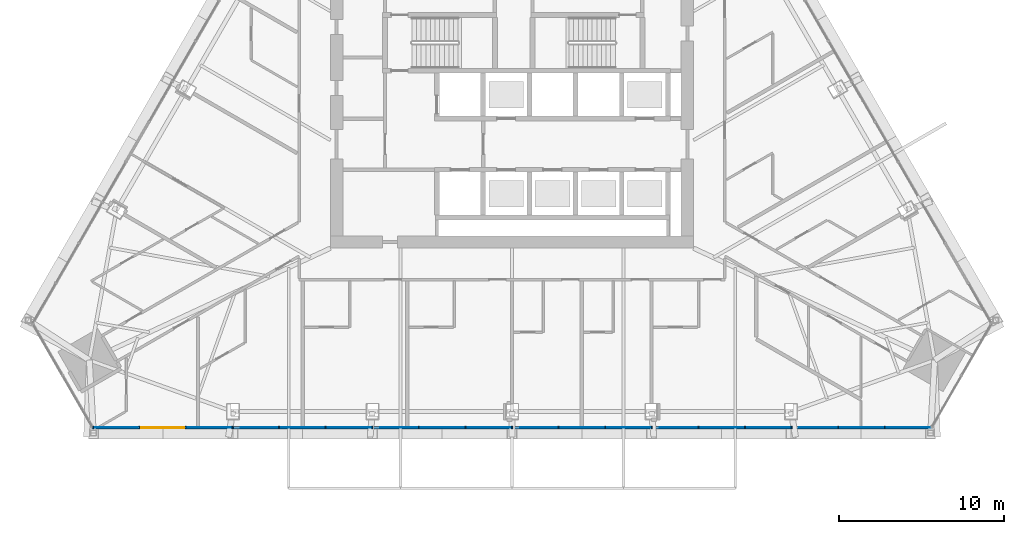
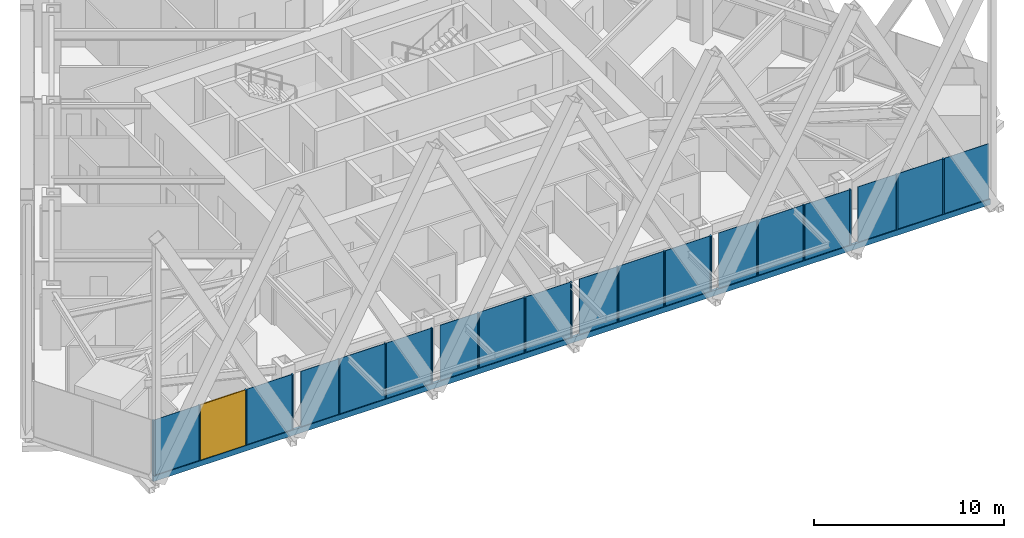
# One storey, part 3 of 19: 19 members, 17 plates, 1 window, 1 opening, 1 element without a shape of its own.
"""IFC4 building model written with IfcOpenShell, lengths in metres."""

from ifc_helpers import new_model, si_unit, direction, frame, frame_2d, origin, origin_2d, place, context, subcontext, project, spatial, polyline, rectangle, outline, extrude, material, layer, layer_set, material_profile, profile_set, type_object, element, fill, aggregate, save


model = new_model("IFC4")

# Units and contexts
model_context = context("Model", 3, precision=1e-05, world=origin(), true_north=direction((0.0, 1.0)))
body_context = subcontext(model_context, "Body", "Model", "MODEL_VIEW")
ifc_project = project(units=[si_unit("LENGTHUNIT", "METRE"), si_unit("AREAUNIT", "SQUARE_METRE"), si_unit("VOLUMEUNIT", "CUBIC_METRE"), si_unit("PLANEANGLEUNIT", "RADIAN"), si_unit("MASSUNIT", "GRAM", prefix="KILO")], contexts=[model_context])

# Site, building, storey
site_placement = place(None, origin())
site = spatial("IfcSite", under=ifc_project, at=site_placement, CompositionType="ELEMENT")
building_placement = place(site_placement, origin())
building = spatial("IfcBuilding", under=site, at=building_placement, Name="Firuza Gate Tower and Library", CompositionType="ELEMENT")
storey_placement = place(building_placement, frame((0.0, 0.0, 218.199951171875)))
storey = spatial("IfcBuildingStorey", under=building, at=storey_placement, Name="L51", CompositionType="ELEMENT", Elevation=218.199951171875)

# Curtain wall, opening, members, plates, window
ifc_material_1 = material(Name="Aluminium 6063-T6", Category="aluminium")
ifc_layer_1 = layer(ifc_material_1, 0.14990234375)
ifc_layer_set_1 = layer_set([ifc_layer_1], Name="Unitised curtain wall, hotel")
curtain_wall_type = type_object("IfcCurtainWallType", Name="Unitised curtain wall, hotel", PredefinedType="NOTDEFINED", material=ifc_layer_set_1)
curtain_wall_placement = place(storey_placement, origin())
curtain_wall = element("IfcCurtainWall", 1, at=curtain_wall_placement, inside=storey, type_object=curtain_wall_type, Name="CW2 L51 S face", PredefinedType="NOTDEFINED")
opening_placement = place(curtain_wall_placement, frame((52.453125, 56.12255859375, 0.150146484375), z_axis=(0.0, 0.0, 1.0), x_axis=(1.0, 0.0, 0.0)))
opening = element("IfcOpeningElement", 2, at=opening_placement, cuts=curtain_wall, Name="Opening WD1-003", PredefinedType="OPENING", context=body_context, shape_type="SweptSolid", body=[
    extrude(rectangle(XDim=2.743408203125, YDim=3.550048828125, at=frame_2d((1.37158203125, 1.77490234375))), frame((0.0, 0.0849609375, 0.0), z_axis=(0.0, -1.0, 0.0), x_axis=(1.0, 0.0, 0.0)), (0.0, 0.0, 1.0), 0.169921875),
])
ifc_material_2 = material(Name="Aluminium 6063-T6", Category="aluminium")
ifc_material_profile_1 = material_profile(ifc_material_2, rectangle(XDim=0.14990234375, YDim=0.080078125, at=origin_2d()))
ifc_profile_set_1 = profile_set([ifc_material_profile_1], Name="Aluminium 6063-T6")
member_type_1 = type_object("IfcMemberType", Name="Curtain wall mullion 80x150", PredefinedType="MULLION", material=ifc_profile_set_1)
member_1_placement = place(storey_placement, frame((49.629638671875, 56.12255859375, 0.150146484375), z_axis=(0.0, 0.0, 1.0), x_axis=(0.0, 1.0, 0.0)))
member_1 = element("IfcMember", 3, at=member_1_placement, type_object=member_type_1, Name="Mullion", PredefinedType="MULLION", context=body_context, shape_type="SweptSolid", body=[
    extrude(rectangle(XDim=0.14990234375, YDim=0.080078125, at=origin_2d()), origin(), (0.0, 0.0, 1.0), 3.5498046875),
])
member_2_placement = place(storey_placement, frame((52.4130859375, 56.12255859375, 0.150146484375), z_axis=(0.0, 0.0, 1.0), x_axis=(0.0, 1.0, 0.0)))
member_2 = element("IfcMember", 4, at=member_2_placement, type_object=member_type_1, Name="Mullion", PredefinedType="MULLION", context=body_context, shape_type="SweptSolid", body=[
    extrude(rectangle(XDim=0.14990234375, YDim=0.080078125, at=origin_2d()), origin(), (0.0, 0.0, 1.0), 3.5498046875),
])
member_3_placement = place(storey_placement, frame((55.236328125, 56.12255859375, 0.150146484375), z_axis=(0.0, 0.0, 1.0), x_axis=(0.0, 1.0, 0.0)))
member_3 = element("IfcMember", 5, at=member_3_placement, type_object=member_type_1, Name="Mullion", PredefinedType="MULLION", context=body_context, shape_type="SweptSolid", body=[
    extrude(rectangle(XDim=0.14990234375, YDim=0.080078125, at=origin_2d()), origin(), (0.0, 0.0, 1.0), 3.5498046875),
])
member_4_placement = place(storey_placement, frame((58.059814453125, 56.12255859375, 0.150146484375), z_axis=(0.0, 0.0, 1.0), x_axis=(0.0, 1.0, 0.0)))
member_4 = element("IfcMember", 6, at=member_4_placement, type_object=member_type_1, Name="Mullion", PredefinedType="MULLION", context=body_context, shape_type="SweptSolid", body=[
    extrude(rectangle(XDim=0.14990234375, YDim=0.080078125, at=origin_2d()), origin(), (0.0, 0.0, 1.0), 3.5498046875),
])
member_5_placement = place(storey_placement, frame((60.883056640625, 56.12255859375, 0.150146484375), z_axis=(0.0, 0.0, 1.0), x_axis=(0.0, 1.0, 0.0)))
member_5 = element("IfcMember", 7, at=member_5_placement, type_object=member_type_1, Name="Mullion", PredefinedType="MULLION", context=body_context, shape_type="SweptSolid", body=[
    extrude(rectangle(XDim=0.14990234375, YDim=0.080078125, at=origin_2d()), origin(), (0.0, 0.0, 1.0), 3.5498046875),
])
member_6_placement = place(storey_placement, frame((63.70654296875, 56.12255859375, 0.150146484375), z_axis=(0.0, 0.0, 1.0), x_axis=(0.0, 1.0, 0.0)))
member_6 = element("IfcMember", 8, at=member_6_placement, type_object=member_type_1, Name="Mullion", PredefinedType="MULLION", context=body_context, shape_type="SweptSolid", body=[
    extrude(rectangle(XDim=0.14990234375, YDim=0.080078125, at=origin_2d()), origin(), (0.0, 0.0, 1.0), 3.5498046875),
])
member_7_placement = place(storey_placement, frame((66.52978515625, 56.12255859375, 0.150146484375), z_axis=(0.0, 0.0, 1.0), x_axis=(0.0, 1.0, 0.0)))
member_7 = element("IfcMember", 9, at=member_7_placement, type_object=member_type_1, Name="Mullion", PredefinedType="MULLION", context=body_context, shape_type="SweptSolid", body=[
    extrude(rectangle(XDim=0.14990234375, YDim=0.080078125, at=origin_2d()), origin(), (0.0, 0.0, 1.0), 3.5498046875),
])
member_8_placement = place(storey_placement, frame((69.353271484375, 56.12255859375, 0.150146484375), z_axis=(0.0, 0.0, 1.0), x_axis=(0.0, 1.0, 0.0)))
member_8 = element("IfcMember", 10, at=member_8_placement, type_object=member_type_1, Name="Mullion", PredefinedType="MULLION", context=body_context, shape_type="SweptSolid", body=[
    extrude(rectangle(XDim=0.14990234375, YDim=0.080078125, at=origin_2d()), origin(), (0.0, 0.0, 1.0), 3.5498046875),
])
member_9_placement = place(storey_placement, frame((72.176513671875, 56.12255859375, 0.150146484375), z_axis=(0.0, 0.0, 1.0), x_axis=(0.0, 1.0, 0.0)))
member_9 = element("IfcMember", 11, at=member_9_placement, type_object=member_type_1, Name="Mullion", PredefinedType="MULLION", context=body_context, shape_type="SweptSolid", body=[
    extrude(rectangle(XDim=0.14990234375, YDim=0.080078125, at=origin_2d()), origin(), (0.0, 0.0, 1.0), 3.5498046875),
])
member_10_placement = place(storey_placement, frame((75.0, 56.12255859375, 0.150146484375), z_axis=(0.0, 0.0, 1.0), x_axis=(0.0, 1.0, 0.0)))
member_10 = element("IfcMember", 12, at=member_10_placement, type_object=member_type_1, Name="Mullion", PredefinedType="MULLION", context=body_context, shape_type="SweptSolid", body=[
    extrude(rectangle(XDim=0.14990234375, YDim=0.080078125, at=origin_2d()), origin(), (0.0, 0.0, 1.0), 3.5498046875),
])
member_11_placement = place(storey_placement, frame((77.823486328125, 56.12255859375, 0.150146484375), z_axis=(0.0, 0.0, 1.0), x_axis=(0.0, 1.0, 0.0)))
member_11 = element("IfcMember", 13, at=member_11_placement, type_object=member_type_1, Name="Mullion", PredefinedType="MULLION", context=body_context, shape_type="SweptSolid", body=[
    extrude(rectangle(XDim=0.14990234375, YDim=0.080078125, at=origin_2d()), origin(), (0.0, 0.0, 1.0), 3.5498046875),
])
member_12_placement = place(storey_placement, frame((80.646728515625, 56.12255859375, 0.150146484375), z_axis=(0.0, 0.0, 1.0), x_axis=(0.0, 1.0, 0.0)))
member_12 = element("IfcMember", 14, at=member_12_placement, type_object=member_type_1, Name="Mullion", PredefinedType="MULLION", context=body_context, shape_type="SweptSolid", body=[
    extrude(rectangle(XDim=0.14990234375, YDim=0.080078125, at=origin_2d()), origin(), (0.0, 0.0, 1.0), 3.5498046875),
])
member_13_placement = place(storey_placement, frame((83.47021484375, 56.12255859375, 0.150146484375), z_axis=(0.0, 0.0, 1.0), x_axis=(0.0, 1.0, 0.0)))
member_13 = element("IfcMember", 15, at=member_13_placement, type_object=member_type_1, Name="Mullion", PredefinedType="MULLION", context=body_context, shape_type="SweptSolid", body=[
    extrude(rectangle(XDim=0.14990234375, YDim=0.080078125, at=origin_2d()), origin(), (0.0, 0.0, 1.0), 3.5498046875),
])
member_14_placement = place(storey_placement, frame((86.29345703125, 56.12255859375, 0.150146484375), z_axis=(0.0, 0.0, 1.0), x_axis=(0.0, 1.0, 0.0)))
member_14 = element("IfcMember", 16, at=member_14_placement, type_object=member_type_1, Name="Mullion", PredefinedType="MULLION", context=body_context, shape_type="SweptSolid", body=[
    extrude(rectangle(XDim=0.14990234375, YDim=0.080078125, at=origin_2d()), origin(), (0.0, 0.0, 1.0), 3.5498046875),
])
member_15_placement = place(storey_placement, frame((89.116943359375, 56.12255859375, 0.150146484375), z_axis=(0.0, 0.0, 1.0), x_axis=(0.0, 1.0, 0.0)))
member_15 = element("IfcMember", 17, at=member_15_placement, type_object=member_type_1, Name="Mullion", PredefinedType="MULLION", context=body_context, shape_type="SweptSolid", body=[
    extrude(rectangle(XDim=0.14990234375, YDim=0.080078125, at=origin_2d()), origin(), (0.0, 0.0, 1.0), 3.5498046875),
])
member_16_placement = place(storey_placement, frame((91.940185546875, 56.12255859375, 0.150146484375), z_axis=(0.0, 0.0, 1.0), x_axis=(0.0, 1.0, 0.0)))
member_16 = element("IfcMember", 18, at=member_16_placement, type_object=member_type_1, Name="Mullion", PredefinedType="MULLION", context=body_context, shape_type="SweptSolid", body=[
    extrude(rectangle(XDim=0.14990234375, YDim=0.080078125, at=origin_2d()), origin(), (0.0, 0.0, 1.0), 3.5498046875),
])
member_17_placement = place(storey_placement, frame((94.763671875, 56.12255859375, 0.150146484375), z_axis=(0.0, 0.0, 1.0), x_axis=(0.0, 1.0, 0.0)))
member_17 = element("IfcMember", 19, at=member_17_placement, type_object=member_type_1, Name="Mullion", PredefinedType="MULLION", context=body_context, shape_type="SweptSolid", body=[
    extrude(rectangle(XDim=0.14990234375, YDim=0.080078125, at=origin_2d()), origin(), (0.0, 0.0, 1.0), 3.5498046875),
])
member_18_placement = place(storey_placement, frame((97.5869140625, 56.12255859375, 0.150146484375), z_axis=(0.0, 0.0, 1.0), x_axis=(0.0, 1.0, 0.0)))
member_18 = element("IfcMember", 20, at=member_18_placement, type_object=member_type_1, Name="Mullion", PredefinedType="MULLION", context=body_context, shape_type="SweptSolid", body=[
    extrude(rectangle(XDim=0.14990234375, YDim=0.080078125, at=origin_2d()), origin(), (0.0, 0.0, 1.0), 3.5498046875),
])
ifc_material_3 = material(Name="Aluminium 6063-T6", Category="aluminium")
ifc_material_profile_2 = material_profile(ifc_material_3, rectangle(XDim=0.14990234375, YDim=0.35009765625, at=origin_2d()))
ifc_profile_set_2 = profile_set([ifc_material_profile_2], Name="Aluminium 6063-T6")
member_type_2 = type_object("IfcMemberType", Name="Curtain wall transom 350x150", PredefinedType="USERDEFINED", material=ifc_profile_set_2)
member_19_placement = place(storey_placement, frame((49.589599609375, 56.12255859375, -0.02490234375), z_axis=(1.0, 0.0, 0.0), x_axis=(0.0, 1.0, 0.0)))
member_19 = element("IfcMember", 21, at=member_19_placement, type_object=member_type_2, Name="Transom", ObjectType="TRANSOM", PredefinedType="USERDEFINED", context=body_context, shape_type="SweptSolid", body=[
    extrude(rectangle(XDim=0.14990234375, YDim=0.35009765625, at=origin_2d()), origin(), (0.0, 0.0, 1.0), 50.82080078125),
])
ifc_material_4 = material(Name="Fritted glass", Category="glass")
ifc_layer_2 = layer(ifc_material_4, 0.030029296875)
ifc_layer_set_2 = layer_set([ifc_layer_2], Name="Fritted glass unit, hotel")
plate_type_1 = type_object("IfcPlateType", Name="Fritted glass unit, hotel", PredefinedType="CURTAIN_PANEL", material=ifc_layer_set_2)
plate_1_placement = place(storey_placement, frame((60.923095703125, 56.107421875, 0.150146484375), z_axis=(0.0, -1.0, 0.0), x_axis=(1.0, 0.0, 0.0)))
plate_1 = element("IfcPlate", 22, at=plate_1_placement, type_object=plate_type_1, Name="Glass unit", PredefinedType="CURTAIN_PANEL", context=body_context, shape_type="SweptSolid", body=[
    extrude(outline(polyline([(0.0, 0.0), (2.743408203125, 0.0), (2.743408203125, 3.5498046875), (0.0, 3.5498046875), (0.0, 0.0)])), origin(), (0.0, 0.0, -1.0), 0.030029296875),
])
plate_2_placement = place(storey_placement, frame((69.393310546875, 56.107421875, 0.150146484375), z_axis=(0.0, -1.0, 0.0), x_axis=(1.0, 0.0, 0.0)))
plate_2 = element("IfcPlate", 23, at=plate_2_placement, type_object=plate_type_1, Name="Glass unit", PredefinedType="CURTAIN_PANEL", context=body_context, shape_type="SweptSolid", body=[
    extrude(outline(polyline([(0.0, 0.0), (2.743408203125, 0.0), (2.743408203125, 3.5498046875), (0.0, 3.5498046875), (0.0, 0.0)])), origin(), (0.0, 0.0, -1.0), 0.030029296875),
])
plate_3_placement = place(storey_placement, frame((77.86328125, 56.107421875, 0.150146484375), z_axis=(0.0, -1.0, 0.0), x_axis=(1.0, 0.0, 0.0)))
plate_3 = element("IfcPlate", 24, at=plate_3_placement, type_object=plate_type_1, Name="Glass unit", PredefinedType="CURTAIN_PANEL", context=body_context, shape_type="SweptSolid", body=[
    extrude(outline(polyline([(0.0, 0.0), (2.743408203125, 0.0), (2.743408203125, 3.5498046875), (0.0, 3.5498046875), (0.0, 0.0)])), origin(), (0.0, 0.0, -1.0), 0.030029296875),
])
plate_4_placement = place(storey_placement, frame((86.33349609375, 56.107421875, 0.150146484375), z_axis=(0.0, -1.0, 0.0), x_axis=(1.0, 0.0, 0.0)))
plate_4 = element("IfcPlate", 25, at=plate_4_placement, type_object=plate_type_1, Name="Glass unit", PredefinedType="CURTAIN_PANEL", context=body_context, shape_type="SweptSolid", body=[
    extrude(outline(polyline([(0.0, 0.0), (2.743408203125, 0.0), (2.743408203125, 3.5498046875), (0.0, 3.5498046875), (0.0, 0.0)])), origin(), (0.0, 0.0, -1.0), 0.030029296875),
])
plate_5_placement = place(storey_placement, frame((94.803466796875, 56.107421875, 0.150146484375), z_axis=(0.0, -1.0, 0.0), x_axis=(1.0, 0.0, 0.0)))
plate_5 = element("IfcPlate", 26, at=plate_5_placement, type_object=plate_type_1, Name="Glass unit", PredefinedType="CURTAIN_PANEL", context=body_context, shape_type="SweptSolid", body=[
    extrude(outline(polyline([(0.0, 0.0), (2.743408203125, 0.0), (2.743408203125, 3.5498046875), (0.0, 3.5498046875), (0.0, 0.0)])), origin(), (0.0, 0.0, -1.0), 0.030029296875),
])
ifc_material_5 = material(Name="Glazed ceramic tile")
ifc_layer_3 = layer(ifc_material_5, 0.030029296875)
ifc_layer_set_3 = layer_set([ifc_layer_3], Name="Opaque ceramic panel, hotel")
plate_type_2 = type_object("IfcPlateType", Name="Opaque ceramic panel, hotel", PredefinedType="CURTAIN_PANEL", material=ifc_layer_set_3)
plate_6_placement = place(storey_placement, frame((49.629638671875, 56.107421875, 0.150146484375), z_axis=(0.0, -1.0, 0.0), x_axis=(1.0, 0.0, 0.0)))
plate_6 = element("IfcPlate", 27, at=plate_6_placement, type_object=plate_type_2, Name="Opaque ceramic panel", PredefinedType="CURTAIN_PANEL", context=body_context, shape_type="SweptSolid", body=[
    extrude(outline(polyline([(0.0, 0.0), (2.743408203125, 0.0), (2.743408203125, 3.5498046875), (0.0, 3.5498046875), (0.0, 0.0)])), origin(), (0.0, 0.0, -1.0), 0.030029296875),
])
plate_7_placement = place(storey_placement, frame((55.2763671875, 56.107421875, 0.150146484375), z_axis=(0.0, -1.0, 0.0), x_axis=(1.0, 0.0, 0.0)))
plate_7 = element("IfcPlate", 28, at=plate_7_placement, type_object=plate_type_2, Name="Opaque ceramic panel", PredefinedType="CURTAIN_PANEL", context=body_context, shape_type="SweptSolid", body=[
    extrude(outline(polyline([(0.0, 0.0), (2.743408203125, 0.0), (2.743408203125, 3.5498046875), (0.0, 3.5498046875), (0.0, 0.0)])), origin(), (0.0, 0.0, -1.0), 0.030029296875),
])
plate_8_placement = place(storey_placement, frame((58.57568359375, 56.107421875, 0.150146484375), z_axis=(0.0, -1.0, 0.0), x_axis=(1.0, 0.0, 0.0)))
plate_8 = element("IfcPlate", 29, at=plate_8_placement, type_object=plate_type_2, Name="Opaque ceramic panel", PredefinedType="CURTAIN_PANEL", context=body_context, shape_type="SweptSolid", body=[
    extrude(outline(polyline([(0.0, 0.0), (2.267578125, 0.0), (2.267578125, 3.5498046875), (0.0, 3.5498046875), (0.0, 0.0)])), origin(), (0.0, 0.0, -1.0), 0.030029296875),
])
plate_9_placement = place(storey_placement, frame((63.74658203125, 56.107421875, 0.150146484375), z_axis=(0.0, -1.0, 0.0), x_axis=(1.0, 0.0, 0.0)))
plate_9 = element("IfcPlate", 30, at=plate_9_placement, type_object=plate_type_2, Name="Opaque ceramic panel", PredefinedType="CURTAIN_PANEL", context=body_context, shape_type="SweptSolid", body=[
    extrude(outline(polyline([(0.0, 0.0), (2.743408203125, 0.0), (2.743408203125, 3.5498046875), (0.0, 3.5498046875), (0.0, 0.0)])), origin(), (0.0, 0.0, -1.0), 0.030029296875),
])
plate_10_placement = place(storey_placement, frame((67.03125, 56.107421875, 0.150146484375), z_axis=(0.0, -1.0, 0.0), x_axis=(1.0, 0.0, 0.0)))
plate_10 = element("IfcPlate", 31, at=plate_10_placement, type_object=plate_type_2, Name="Opaque ceramic panel", PredefinedType="CURTAIN_PANEL", context=body_context, shape_type="SweptSolid", body=[
    extrude(outline(polyline([(0.0, 0.0), (2.281982421875, 0.0), (2.281982421875, 3.5498046875), (0.0, 3.5498046875), (0.0, 0.0)])), origin(), (0.0, 0.0, -1.0), 0.030029296875),
])
plate_11_placement = place(storey_placement, frame((72.216552734375, 56.107421875, 0.150146484375), z_axis=(0.0, -1.0, 0.0), x_axis=(1.0, 0.0, 0.0)))
plate_11 = element("IfcPlate", 32, at=plate_11_placement, type_object=plate_type_2, Name="Opaque ceramic panel", PredefinedType="CURTAIN_PANEL", context=body_context, shape_type="SweptSolid", body=[
    extrude(outline(polyline([(0.0, 0.0), (2.743408203125, 0.0), (2.743408203125, 3.5498046875), (0.0, 3.5498046875), (0.0, 0.0)])), origin(), (0.0, 0.0, -1.0), 0.030029296875),
])
plate_12_placement = place(storey_placement, frame((75.487060546875, 56.107421875, 0.150146484375), z_axis=(0.0, -1.0, 0.0), x_axis=(1.0, 0.0, 0.0)))
plate_12 = element("IfcPlate", 33, at=plate_12_placement, type_object=plate_type_2, Name="Opaque ceramic panel", PredefinedType="CURTAIN_PANEL", context=body_context, shape_type="SweptSolid", body=[
    extrude(outline(polyline([(0.0, 0.0), (2.29638671875, 0.0), (2.29638671875, 3.5498046875), (0.0, 3.5498046875), (0.0, 0.0)])), origin(), (0.0, 0.0, -1.0), 0.030029296875),
])
plate_13_placement = place(storey_placement, frame((80.686767578125, 56.107421875, 0.150146484375), z_axis=(0.0, -1.0, 0.0), x_axis=(1.0, 0.0, 0.0)))
plate_13 = element("IfcPlate", 34, at=plate_13_placement, type_object=plate_type_2, Name="Opaque ceramic panel", PredefinedType="CURTAIN_PANEL", context=body_context, shape_type="SweptSolid", body=[
    extrude(outline(polyline([(0.0, 0.0), (2.743408203125, 0.0), (2.743408203125, 3.5498046875), (0.0, 3.5498046875), (0.0, 0.0)])), origin(), (0.0, 0.0, -1.0), 0.030029296875),
])
plate_14_placement = place(storey_placement, frame((83.942626953125, 56.107421875, 0.150146484375), z_axis=(0.0, -1.0, 0.0), x_axis=(1.0, 0.0, 0.0)))
plate_14 = element("IfcPlate", 35, at=plate_14_placement, type_object=plate_type_2, Name="Opaque ceramic panel", PredefinedType="CURTAIN_PANEL", context=body_context, shape_type="SweptSolid", body=[
    extrude(outline(polyline([(0.0, 0.0), (2.310791015625, 0.0), (2.310791015625, 3.5498046875), (0.0, 3.5498046875), (0.0, 0.0)])), origin(), (0.0, 0.0, -1.0), 0.030029296875),
])
plate_15_placement = place(storey_placement, frame((89.15673828125, 56.107421875, 0.150146484375), z_axis=(0.0, -1.0, 0.0), x_axis=(1.0, 0.0, 0.0)))
plate_15 = element("IfcPlate", 36, at=plate_15_placement, type_object=plate_type_2, Name="Opaque ceramic panel", PredefinedType="CURTAIN_PANEL", context=body_context, shape_type="SweptSolid", body=[
    extrude(outline(polyline([(0.0, 0.0), (2.743408203125, 0.0), (2.743408203125, 3.5498046875), (0.0, 3.5498046875), (0.0, 0.0)])), origin(), (0.0, 0.0, -1.0), 0.030029296875),
])
plate_16_placement = place(storey_placement, frame((92.398193359375, 56.107421875, 0.150146484375), z_axis=(0.0, -1.0, 0.0), x_axis=(1.0, 0.0, 0.0)))
plate_16 = element("IfcPlate", 37, at=plate_16_placement, type_object=plate_type_2, Name="Opaque ceramic panel", PredefinedType="CURTAIN_PANEL", context=body_context, shape_type="SweptSolid", body=[
    extrude(outline(polyline([(0.0, 0.0), (2.325439453125, 0.0), (2.325439453125, 3.5498046875), (0.0, 3.5498046875), (0.0, 0.0)])), origin(), (0.0, 0.0, -1.0), 0.030029296875),
])
plate_17_placement = place(storey_placement, frame((97.626953125, 56.107421875, 0.150146484375), z_axis=(0.0, -1.0, 0.0), x_axis=(1.0, 0.0, 0.0)))
plate_17 = element("IfcPlate", 38, at=plate_17_placement, type_object=plate_type_2, Name="Opaque ceramic panel", PredefinedType="CURTAIN_PANEL", context=body_context, shape_type="SweptSolid", body=[
    extrude(outline(polyline([(0.0, 0.0), (2.743408203125, 0.0), (2.743408203125, 3.5498046875), (0.0, 3.5498046875), (0.0, 0.0)])), origin(), (0.0, 0.0, -1.0), 0.030029296875),
])
aggregate(curtain_wall, [member_1, member_2, member_3, member_4, member_5, member_6, member_7, member_8, member_9, member_10, member_11, member_12, member_13, member_14, member_15, member_16, member_17, member_18, member_19, plate_6, plate_7, plate_8, plate_1, plate_9, plate_10, plate_2, plate_11, plate_12, plate_3, plate_13, plate_14, plate_4, plate_15, plate_16, plate_5, plate_17])
ifc_material_6 = material(Name="Aluminium 6063-T6 and glass", Category="aluminium")
ifc_layer_4 = layer(ifc_material_6, 0.030029296875)
ifc_layer_set_4 = layer_set([ifc_layer_4], Name="Operable glazed unit")
window_type = type_object("IfcWindowType", Name="Operable glazed unit", PartitioningType="SINGLE_PANEL", PredefinedType="WINDOW", material=ifc_layer_set_4)
window_placement = place(opening_placement, origin())
window = element("IfcWindow", 39, at=window_placement, inside=storey, type_object=window_type, Name="Operable glazed unit", OverallHeight=3.550048828125, OverallWidth=2.743408203125, PartitioningType="SINGLE_PANEL", PredefinedType="WINDOW", context=body_context, shape_type="SweptSolid", body=[
    extrude(rectangle(XDim=2.743408203125, YDim=3.550048828125, at=frame_2d((1.37158203125, 1.77490234375))), frame((0.0, 0.030029296875, 0.0), z_axis=(0.0, -1.0, 0.0), x_axis=(1.0, 0.0, 0.0)), (0.0, 0.0, 1.0), 0.06005859375),
])
fill(opening, window)

save(model, "model.ifc")
